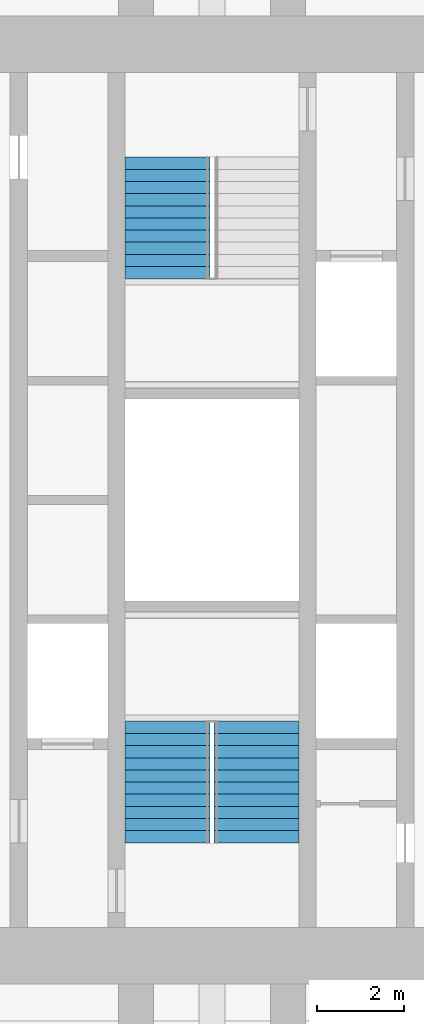
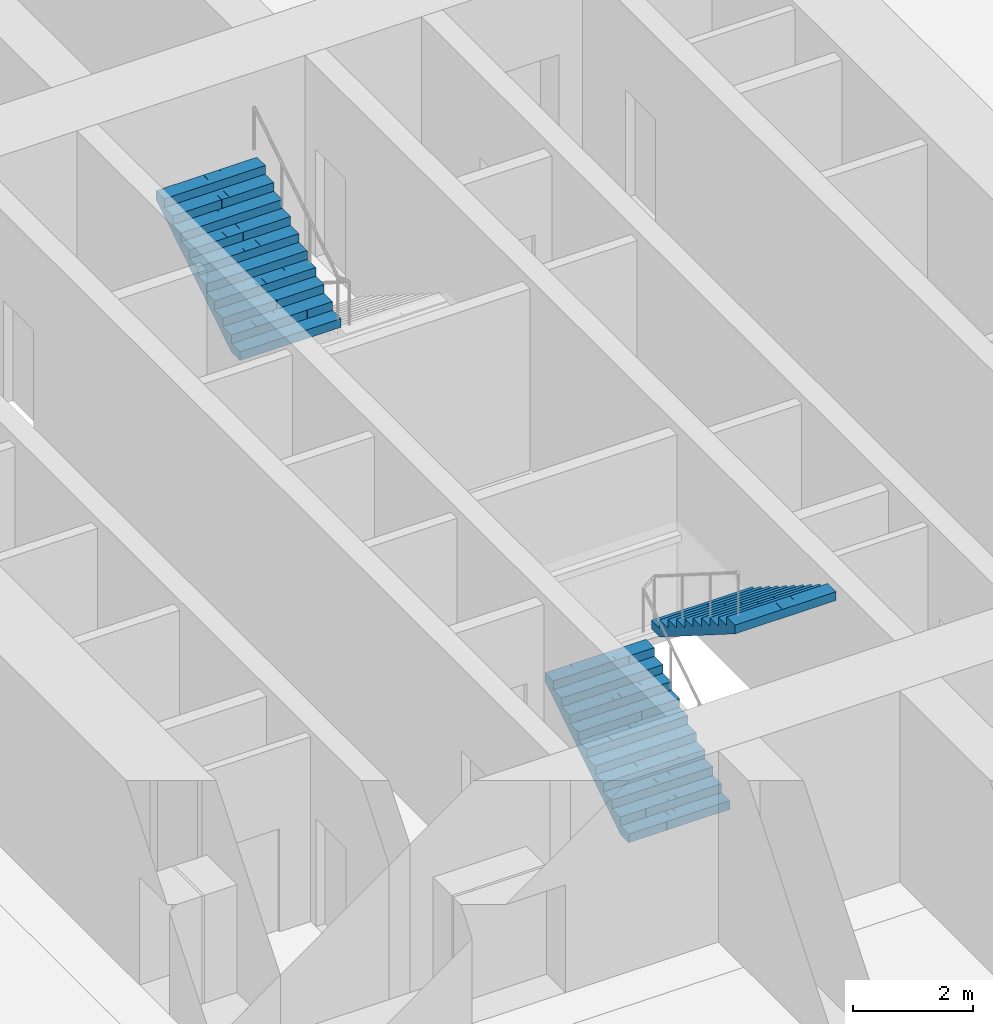
# One storey, part 20 of 22: 3 stair flights, 2 elements without a shape of their own.
"""IFC4 building model written with IfcOpenShell, lengths in metres."""

from ifc_helpers import new_model, si_unit, direction, frame, origin, place, context, subcontext, project, spatial, polyline, outline, extrude, material, type_object, element, aggregate, save


model = new_model("IFC4")

# Units and contexts
model_context = context("Model", 3, precision=1e-05, world=origin(), true_north=direction((0.0, 1.0)))
body_context = subcontext(model_context, "Body", "Model", "MODEL_VIEW")
ifc_project = project(units=[si_unit("LENGTHUNIT", "METRE"), si_unit("AREAUNIT", "SQUARE_METRE"), si_unit("VOLUMEUNIT", "CUBIC_METRE"), si_unit("PLANEANGLEUNIT", "RADIAN"), si_unit("MASSUNIT", "GRAM", prefix="KILO")], contexts=[model_context])

# Site, building, storey
site_placement = place(None, origin())
site = spatial("IfcSite", under=ifc_project, at=site_placement, CompositionType="ELEMENT")
building_placement = place(site_placement, origin())
building = spatial("IfcBuilding", under=site, at=building_placement, Name="Mizan Broadcast Tower", CompositionType="ELEMENT")
storey_placement = place(building_placement, frame((0.0, 0.0, 109.800048828125)))
storey = spatial("IfcBuildingStorey", under=building, at=storey_placement, Name="L24", CompositionType="ELEMENT", Elevation=109.800048828125)

# Stair, stair flights
ifc_material_1 = material(Name="Concrete C40/50", Category="concrete")
stair_type = type_object("IfcStairType", Name="EXIT STAIR", PredefinedType="HALF_TURN_STAIR", material=ifc_material_1)
stair_1_placement = place(storey_placement, origin())
stair_1 = element("IfcStair", 1, at=stair_1_placement, inside=storey, type_object=stair_type, Name="Stair A L24", PredefinedType="HALF_TURN_STAIR")
ifc_material_2 = material(Name="Concrete C40/50", Category="concrete")
stair_flight_type = type_object("IfcStairFlightType", Name="EXIT STAIR FLIGHT", PredefinedType="STRAIGHT", material=ifc_material_2)
stair_flight_1_placement = place(storey_placement, frame((-1.02490234375, -7.89990234375, 0.0), z_axis=(0.0, 0.0, 1.0), x_axis=(0.0, 1.0, 0.0)))
stair_flight_1 = element("IfcStairFlight", 2, at=stair_flight_1_placement, type_object=stair_flight_type, Name="A flight 1", NumberOfRisers=11, NumberOfTreads=10, PredefinedType="STRAIGHT", RiserHeight=0.177272727, TreadLength=0.28, context=body_context, shape_type="SweptSolid", body=[
    extrude(outline(polyline([(0.0, 0.0), (0.0, 0.17724609375), (0.280029296875, 0.17724609375), (0.280029296875, 0.3544921875), (0.56005859375, 0.3544921875), (0.56005859375, 0.53173828125), (0.840087890625, 0.53173828125), (0.840087890625, 0.708984375), (1.1201171875, 0.708984375), (1.1201171875, 0.886474609375), (1.39990234375, 0.886474609375), (1.39990234375, 1.063720703125), (1.679931640625, 1.063720703125), (1.679931640625, 1.240966796875), (1.9599609375, 1.240966796875), (1.9599609375, 1.418212890625), (2.239990234375, 1.418212890625), (2.239990234375, 1.595458984375), (2.52001953125, 1.595458984375), (2.52001953125, 1.772705078125), (2.800048828125, 1.772705078125), (2.800048828125, 1.949951171875), (2.800048828125, 1.59521484375), (0.2802734375, 0.0), (0.0, 0.0)])), frame((0.0, 0.97509765625, 0.0), z_axis=(0.0, -1.0, 0.0), x_axis=(1.0, 0.0, 0.0)), (0.0, 0.0, 1.0), 0.4873046875),
    extrude(outline(polyline([(0.0, 0.0), (0.0, 0.17724609375), (0.280029296875, 0.17724609375), (0.280029296875, 0.3544921875), (0.56005859375, 0.3544921875), (0.56005859375, 0.53173828125), (0.840087890625, 0.53173828125), (0.840087890625, 0.708984375), (1.1201171875, 0.708984375), (1.1201171875, 0.886474609375), (1.39990234375, 0.886474609375), (1.39990234375, 1.063720703125), (1.679931640625, 1.063720703125), (1.679931640625, 1.240966796875), (1.9599609375, 1.240966796875), (1.9599609375, 1.418212890625), (2.239990234375, 1.418212890625), (2.239990234375, 1.595458984375), (2.52001953125, 1.595458984375), (2.52001953125, 1.772705078125), (2.800048828125, 1.772705078125), (2.800048828125, 1.949951171875), (2.800048828125, 1.59521484375), (0.2802734375, 0.0), (0.0, 0.0)])), frame((0.0, 0.4873046875, 0.0), z_axis=(0.0, -1.0, 0.0), x_axis=(1.0, 0.0, 0.0)), (0.0, 0.0, 1.0), 0.2431640625),
    extrude(outline(polyline([(0.0, 0.0), (0.0, 0.17724609375), (0.280029296875, 0.17724609375), (0.280029296875, 0.3544921875), (0.56005859375, 0.3544921875), (0.56005859375, 0.53173828125), (0.840087890625, 0.53173828125), (0.840087890625, 0.708984375), (1.1201171875, 0.708984375), (1.1201171875, 0.886474609375), (1.39990234375, 0.886474609375), (1.39990234375, 1.063720703125), (1.679931640625, 1.063720703125), (1.679931640625, 1.240966796875), (1.9599609375, 1.240966796875), (1.9599609375, 1.418212890625), (2.239990234375, 1.418212890625), (2.239990234375, 1.595458984375), (2.52001953125, 1.595458984375), (2.52001953125, 1.772705078125), (2.800048828125, 1.772705078125), (2.800048828125, 1.949951171875), (2.800048828125, 1.59521484375), (0.2802734375, 0.0), (0.0, 0.0)])), frame((0.0, 0.24365234375, 0.0), z_axis=(0.0, -1.0, 0.0), x_axis=(1.0, 0.0, 0.0)), (0.0, 0.0, 1.0), 0.121337890625),
    extrude(outline(polyline([(0.0, 0.0), (0.0, 0.17724609375), (0.280029296875, 0.17724609375), (0.280029296875, 0.3544921875), (0.56005859375, 0.3544921875), (0.56005859375, 0.53173828125), (0.840087890625, 0.53173828125), (0.840087890625, 0.708984375), (1.1201171875, 0.708984375), (1.1201171875, 0.886474609375), (1.39990234375, 0.886474609375), (1.39990234375, 1.063720703125), (1.679931640625, 1.063720703125), (1.679931640625, 1.240966796875), (1.9599609375, 1.240966796875), (1.9599609375, 1.418212890625), (2.239990234375, 1.418212890625), (2.239990234375, 1.595458984375), (2.52001953125, 1.595458984375), (2.52001953125, 1.772705078125), (2.800048828125, 1.772705078125), (2.800048828125, 1.949951171875), (2.800048828125, 1.59521484375), (0.2802734375, 0.0), (0.0, 0.0)])), frame((0.0, 0.121826171875, 0.0), z_axis=(0.0, -1.0, 0.0), x_axis=(1.0, 0.0, 0.0)), (0.0, 0.0, 1.0), 0.060546875),
    extrude(outline(polyline([(0.0, 0.0), (0.0, 0.17724609375), (0.280029296875, 0.17724609375), (0.280029296875, 0.3544921875), (0.56005859375, 0.3544921875), (0.56005859375, 0.53173828125), (0.840087890625, 0.53173828125), (0.840087890625, 0.708984375), (1.1201171875, 0.708984375), (1.1201171875, 0.886474609375), (1.39990234375, 0.886474609375), (1.39990234375, 1.063720703125), (1.679931640625, 1.063720703125), (1.679931640625, 1.240966796875), (1.9599609375, 1.240966796875), (1.9599609375, 1.418212890625), (2.239990234375, 1.418212890625), (2.239990234375, 1.595458984375), (2.52001953125, 1.595458984375), (2.52001953125, 1.772705078125), (2.800048828125, 1.772705078125), (2.800048828125, 1.949951171875), (2.800048828125, 1.59521484375), (0.2802734375, 0.0), (0.0, 0.0)])), frame((0.0, 0.060791015625, 0.0), z_axis=(0.0, -1.0, 0.0), x_axis=(1.0, 0.0, 0.0)), (0.0, 0.0, 1.0), 0.030029296875),
    extrude(outline(polyline([(0.0, 0.0), (0.0, 0.17724609375), (0.280029296875, 0.17724609375), (0.280029296875, 0.3544921875), (0.56005859375, 0.3544921875), (0.56005859375, 0.53173828125), (0.840087890625, 0.53173828125), (0.840087890625, 0.708984375), (1.1201171875, 0.708984375), (1.1201171875, 0.886474609375), (1.39990234375, 0.886474609375), (1.39990234375, 1.063720703125), (1.679931640625, 1.063720703125), (1.679931640625, 1.240966796875), (1.9599609375, 1.240966796875), (1.9599609375, 1.418212890625), (2.239990234375, 1.418212890625), (2.239990234375, 1.595458984375), (2.52001953125, 1.595458984375), (2.52001953125, 1.772705078125), (2.800048828125, 1.772705078125), (2.800048828125, 1.949951171875), (2.800048828125, 1.59521484375), (0.2802734375, 0.0), (0.0, 0.0)])), frame((0.0, 0.0302734375, 0.0), z_axis=(0.0, -1.0, 0.0), x_axis=(1.0, 0.0, 0.0)), (0.0, 0.0, 1.0), 0.060302734375),
    extrude(outline(polyline([(0.0, 0.0), (0.0, 0.17724609375), (0.280029296875, 0.17724609375), (0.280029296875, 0.3544921875), (0.56005859375, 0.3544921875), (0.56005859375, 0.53173828125), (0.840087890625, 0.53173828125), (0.840087890625, 0.708984375), (1.1201171875, 0.708984375), (1.1201171875, 0.886474609375), (1.39990234375, 0.886474609375), (1.39990234375, 1.063720703125), (1.679931640625, 1.063720703125), (1.679931640625, 1.240966796875), (1.9599609375, 1.240966796875), (1.9599609375, 1.418212890625), (2.239990234375, 1.418212890625), (2.239990234375, 1.595458984375), (2.52001953125, 1.595458984375), (2.52001953125, 1.772705078125), (2.800048828125, 1.772705078125), (2.800048828125, 1.949951171875), (2.800048828125, 1.59521484375), (0.2802734375, 0.0), (0.0, 0.0)])), frame((0.0, -0.030517578125, 0.0), z_axis=(0.0, -1.0, 0.0), x_axis=(1.0, 0.0, 0.0)), (0.0, 0.0, 1.0), 0.030029296875),
    extrude(outline(polyline([(0.0, 0.0), (0.0, 0.17724609375), (0.280029296875, 0.17724609375), (0.280029296875, 0.3544921875), (0.56005859375, 0.3544921875), (0.56005859375, 0.53173828125), (0.840087890625, 0.53173828125), (0.840087890625, 0.708984375), (1.1201171875, 0.708984375), (1.1201171875, 0.886474609375), (1.39990234375, 0.886474609375), (1.39990234375, 1.063720703125), (1.679931640625, 1.063720703125), (1.679931640625, 1.240966796875), (1.9599609375, 1.240966796875), (1.9599609375, 1.418212890625), (2.239990234375, 1.418212890625), (2.239990234375, 1.595458984375), (2.52001953125, 1.595458984375), (2.52001953125, 1.772705078125), (2.800048828125, 1.772705078125), (2.800048828125, 1.949951171875), (2.800048828125, 1.59521484375), (0.2802734375, 0.0), (0.0, 0.0)])), frame((0.0, -0.06103515625, 0.0), z_axis=(0.0, -1.0, 0.0), x_axis=(1.0, 0.0, 0.0)), (0.0, 0.0, 1.0), 0.060546875),
    extrude(outline(polyline([(0.0, 0.0), (0.0, 0.17724609375), (0.280029296875, 0.17724609375), (0.280029296875, 0.3544921875), (0.56005859375, 0.3544921875), (0.56005859375, 0.53173828125), (0.840087890625, 0.53173828125), (0.840087890625, 0.708984375), (1.1201171875, 0.708984375), (1.1201171875, 0.886474609375), (1.39990234375, 0.886474609375), (1.39990234375, 1.063720703125), (1.679931640625, 1.063720703125), (1.679931640625, 1.240966796875), (1.9599609375, 1.240966796875), (1.9599609375, 1.418212890625), (2.239990234375, 1.418212890625), (2.239990234375, 1.595458984375), (2.52001953125, 1.595458984375), (2.52001953125, 1.772705078125), (2.800048828125, 1.772705078125), (2.800048828125, 1.949951171875), (2.800048828125, 1.59521484375), (0.2802734375, 0.0), (0.0, 0.0)])), frame((0.0, -0.1220703125, 0.0), z_axis=(0.0, -1.0, 0.0), x_axis=(1.0, 0.0, 0.0)), (0.0, 0.0, 1.0), 0.121337890625),
    extrude(outline(polyline([(0.0, 0.0), (0.0, 0.17724609375), (0.280029296875, 0.17724609375), (0.280029296875, 0.3544921875), (0.56005859375, 0.3544921875), (0.56005859375, 0.53173828125), (0.840087890625, 0.53173828125), (0.840087890625, 0.708984375), (1.1201171875, 0.708984375), (1.1201171875, 0.886474609375), (1.39990234375, 0.886474609375), (1.39990234375, 1.063720703125), (1.679931640625, 1.063720703125), (1.679931640625, 1.240966796875), (1.9599609375, 1.240966796875), (1.9599609375, 1.418212890625), (2.239990234375, 1.418212890625), (2.239990234375, 1.595458984375), (2.52001953125, 1.595458984375), (2.52001953125, 1.772705078125), (2.800048828125, 1.772705078125), (2.800048828125, 1.949951171875), (2.800048828125, 1.59521484375), (0.2802734375, 0.0), (0.0, 0.0)])), frame((0.0, -0.243896484375, 0.0), z_axis=(0.0, -1.0, 0.0), x_axis=(1.0, 0.0, 0.0)), (0.0, 0.0, 1.0), 0.2431640625),
    extrude(outline(polyline([(0.0, 0.0), (0.0, 0.17724609375), (0.280029296875, 0.17724609375), (0.280029296875, 0.3544921875), (0.56005859375, 0.3544921875), (0.56005859375, 0.53173828125), (0.840087890625, 0.53173828125), (0.840087890625, 0.708984375), (1.1201171875, 0.708984375), (1.1201171875, 0.886474609375), (1.39990234375, 0.886474609375), (1.39990234375, 1.063720703125), (1.679931640625, 1.063720703125), (1.679931640625, 1.240966796875), (1.9599609375, 1.240966796875), (1.9599609375, 1.418212890625), (2.239990234375, 1.418212890625), (2.239990234375, 1.595458984375), (2.52001953125, 1.595458984375), (2.52001953125, 1.772705078125), (2.800048828125, 1.772705078125), (2.800048828125, 1.949951171875), (2.800048828125, 1.59521484375), (0.2802734375, 0.0), (0.0, 0.0)])), frame((0.0, -0.487548828125, 0.0), z_axis=(0.0, -1.0, 0.0), x_axis=(1.0, 0.0, 0.0)), (0.0, 0.0, 1.0), 0.4873046875),
])
stair_flight_2_placement = place(storey_placement, frame((1.02490234375, -5.10009765625, 1.949951171875), z_axis=(0.0, 0.0, 1.0), x_axis=(0.0, -1.0, 0.0)))
stair_flight_2 = element("IfcStairFlight", 3, at=stair_flight_2_placement, type_object=stair_flight_type, Name="A flight 2", NumberOfRisers=11, NumberOfTreads=10, PredefinedType="STRAIGHT", RiserHeight=0.177272727, TreadLength=0.28, context=body_context, shape_type="SweptSolid", body=[
    extrude(outline(polyline([(0.0, 0.0), (0.0, 0.17724609375), (0.280029296875, 0.17724609375), (0.280029296875, 0.3544921875), (0.56005859375, 0.3544921875), (0.56005859375, 0.53173828125), (0.840087890625, 0.53173828125), (0.840087890625, 0.708984375), (1.1201171875, 0.708984375), (1.1201171875, 0.886474609375), (1.39990234375, 0.886474609375), (1.39990234375, 1.063720703125), (1.679931640625, 1.063720703125), (1.679931640625, 1.240966796875), (1.9599609375, 1.240966796875), (1.9599609375, 1.418212890625), (2.239990234375, 1.418212890625), (2.239990234375, 1.595458984375), (2.52001953125, 1.595458984375), (2.52001953125, 1.772705078125), (2.800048828125, 1.772705078125), (2.800048828125, 1.949951171875), (2.800048828125, 1.59521484375), (0.2802734375, 0.0), (0.0, 0.0)])), frame((0.0, 0.97509765625, 0.0), z_axis=(0.0, -1.0, 0.0), x_axis=(1.0, 0.0, 0.0)), (0.0, 0.0, 1.0), 0.4873046875),
    extrude(outline(polyline([(0.0, 0.0), (0.0, 0.17724609375), (0.280029296875, 0.17724609375), (0.280029296875, 0.3544921875), (0.56005859375, 0.3544921875), (0.56005859375, 0.53173828125), (0.840087890625, 0.53173828125), (0.840087890625, 0.708984375), (1.1201171875, 0.708984375), (1.1201171875, 0.886474609375), (1.39990234375, 0.886474609375), (1.39990234375, 1.063720703125), (1.679931640625, 1.063720703125), (1.679931640625, 1.240966796875), (1.9599609375, 1.240966796875), (1.9599609375, 1.418212890625), (2.239990234375, 1.418212890625), (2.239990234375, 1.595458984375), (2.52001953125, 1.595458984375), (2.52001953125, 1.772705078125), (2.800048828125, 1.772705078125), (2.800048828125, 1.949951171875), (2.800048828125, 1.59521484375), (0.2802734375, 0.0), (0.0, 0.0)])), frame((0.0, 0.4873046875, 0.0), z_axis=(0.0, -1.0, 0.0), x_axis=(1.0, 0.0, 0.0)), (0.0, 0.0, 1.0), 0.2431640625),
    extrude(outline(polyline([(0.0, 0.0), (0.0, 0.17724609375), (0.280029296875, 0.17724609375), (0.280029296875, 0.3544921875), (0.56005859375, 0.3544921875), (0.56005859375, 0.53173828125), (0.840087890625, 0.53173828125), (0.840087890625, 0.708984375), (1.1201171875, 0.708984375), (1.1201171875, 0.886474609375), (1.39990234375, 0.886474609375), (1.39990234375, 1.063720703125), (1.679931640625, 1.063720703125), (1.679931640625, 1.240966796875), (1.9599609375, 1.240966796875), (1.9599609375, 1.418212890625), (2.239990234375, 1.418212890625), (2.239990234375, 1.595458984375), (2.52001953125, 1.595458984375), (2.52001953125, 1.772705078125), (2.800048828125, 1.772705078125), (2.800048828125, 1.949951171875), (2.800048828125, 1.59521484375), (0.2802734375, 0.0), (0.0, 0.0)])), frame((0.0, 0.24365234375, 0.0), z_axis=(0.0, -1.0, 0.0), x_axis=(1.0, 0.0, 0.0)), (0.0, 0.0, 1.0), 0.121337890625),
    extrude(outline(polyline([(0.0, 0.0), (0.0, 0.17724609375), (0.280029296875, 0.17724609375), (0.280029296875, 0.3544921875), (0.56005859375, 0.3544921875), (0.56005859375, 0.53173828125), (0.840087890625, 0.53173828125), (0.840087890625, 0.708984375), (1.1201171875, 0.708984375), (1.1201171875, 0.886474609375), (1.39990234375, 0.886474609375), (1.39990234375, 1.063720703125), (1.679931640625, 1.063720703125), (1.679931640625, 1.240966796875), (1.9599609375, 1.240966796875), (1.9599609375, 1.418212890625), (2.239990234375, 1.418212890625), (2.239990234375, 1.595458984375), (2.52001953125, 1.595458984375), (2.52001953125, 1.772705078125), (2.800048828125, 1.772705078125), (2.800048828125, 1.949951171875), (2.800048828125, 1.59521484375), (0.2802734375, 0.0), (0.0, 0.0)])), frame((0.0, 0.121826171875, 0.0), z_axis=(0.0, -1.0, 0.0), x_axis=(1.0, 0.0, 0.0)), (0.0, 0.0, 1.0), 0.060546875),
    extrude(outline(polyline([(0.0, 0.0), (0.0, 0.17724609375), (0.280029296875, 0.17724609375), (0.280029296875, 0.3544921875), (0.56005859375, 0.3544921875), (0.56005859375, 0.53173828125), (0.840087890625, 0.53173828125), (0.840087890625, 0.708984375), (1.1201171875, 0.708984375), (1.1201171875, 0.886474609375), (1.39990234375, 0.886474609375), (1.39990234375, 1.063720703125), (1.679931640625, 1.063720703125), (1.679931640625, 1.240966796875), (1.9599609375, 1.240966796875), (1.9599609375, 1.418212890625), (2.239990234375, 1.418212890625), (2.239990234375, 1.595458984375), (2.52001953125, 1.595458984375), (2.52001953125, 1.772705078125), (2.800048828125, 1.772705078125), (2.800048828125, 1.949951171875), (2.800048828125, 1.59521484375), (0.2802734375, 0.0), (0.0, 0.0)])), frame((0.0, 0.060791015625, 0.0), z_axis=(0.0, -1.0, 0.0), x_axis=(1.0, 0.0, 0.0)), (0.0, 0.0, 1.0), 0.030029296875),
    extrude(outline(polyline([(0.0, 0.0), (0.0, 0.17724609375), (0.280029296875, 0.17724609375), (0.280029296875, 0.3544921875), (0.56005859375, 0.3544921875), (0.56005859375, 0.53173828125), (0.840087890625, 0.53173828125), (0.840087890625, 0.708984375), (1.1201171875, 0.708984375), (1.1201171875, 0.886474609375), (1.39990234375, 0.886474609375), (1.39990234375, 1.063720703125), (1.679931640625, 1.063720703125), (1.679931640625, 1.240966796875), (1.9599609375, 1.240966796875), (1.9599609375, 1.418212890625), (2.239990234375, 1.418212890625), (2.239990234375, 1.595458984375), (2.52001953125, 1.595458984375), (2.52001953125, 1.772705078125), (2.800048828125, 1.772705078125), (2.800048828125, 1.949951171875), (2.800048828125, 1.59521484375), (0.2802734375, 0.0), (0.0, 0.0)])), frame((0.0, 0.0302734375, 0.0), z_axis=(0.0, -1.0, 0.0), x_axis=(1.0, 0.0, 0.0)), (0.0, 0.0, 1.0), 0.060302734375),
    extrude(outline(polyline([(0.0, 0.0), (0.0, 0.17724609375), (0.280029296875, 0.17724609375), (0.280029296875, 0.3544921875), (0.56005859375, 0.3544921875), (0.56005859375, 0.53173828125), (0.840087890625, 0.53173828125), (0.840087890625, 0.708984375), (1.1201171875, 0.708984375), (1.1201171875, 0.886474609375), (1.39990234375, 0.886474609375), (1.39990234375, 1.063720703125), (1.679931640625, 1.063720703125), (1.679931640625, 1.240966796875), (1.9599609375, 1.240966796875), (1.9599609375, 1.418212890625), (2.239990234375, 1.418212890625), (2.239990234375, 1.595458984375), (2.52001953125, 1.595458984375), (2.52001953125, 1.772705078125), (2.800048828125, 1.772705078125), (2.800048828125, 1.949951171875), (2.800048828125, 1.59521484375), (0.2802734375, 0.0), (0.0, 0.0)])), frame((0.0, -0.030517578125, 0.0), z_axis=(0.0, -1.0, 0.0), x_axis=(1.0, 0.0, 0.0)), (0.0, 0.0, 1.0), 0.030029296875),
    extrude(outline(polyline([(0.0, 0.0), (0.0, 0.17724609375), (0.280029296875, 0.17724609375), (0.280029296875, 0.3544921875), (0.56005859375, 0.3544921875), (0.56005859375, 0.53173828125), (0.840087890625, 0.53173828125), (0.840087890625, 0.708984375), (1.1201171875, 0.708984375), (1.1201171875, 0.886474609375), (1.39990234375, 0.886474609375), (1.39990234375, 1.063720703125), (1.679931640625, 1.063720703125), (1.679931640625, 1.240966796875), (1.9599609375, 1.240966796875), (1.9599609375, 1.418212890625), (2.239990234375, 1.418212890625), (2.239990234375, 1.595458984375), (2.52001953125, 1.595458984375), (2.52001953125, 1.772705078125), (2.800048828125, 1.772705078125), (2.800048828125, 1.949951171875), (2.800048828125, 1.59521484375), (0.2802734375, 0.0), (0.0, 0.0)])), frame((0.0, -0.06103515625, 0.0), z_axis=(0.0, -1.0, 0.0), x_axis=(1.0, 0.0, 0.0)), (0.0, 0.0, 1.0), 0.060546875),
    extrude(outline(polyline([(0.0, 0.0), (0.0, 0.17724609375), (0.280029296875, 0.17724609375), (0.280029296875, 0.3544921875), (0.56005859375, 0.3544921875), (0.56005859375, 0.53173828125), (0.840087890625, 0.53173828125), (0.840087890625, 0.708984375), (1.1201171875, 0.708984375), (1.1201171875, 0.886474609375), (1.39990234375, 0.886474609375), (1.39990234375, 1.063720703125), (1.679931640625, 1.063720703125), (1.679931640625, 1.240966796875), (1.9599609375, 1.240966796875), (1.9599609375, 1.418212890625), (2.239990234375, 1.418212890625), (2.239990234375, 1.595458984375), (2.52001953125, 1.595458984375), (2.52001953125, 1.772705078125), (2.800048828125, 1.772705078125), (2.800048828125, 1.949951171875), (2.800048828125, 1.59521484375), (0.2802734375, 0.0), (0.0, 0.0)])), frame((0.0, -0.1220703125, 0.0), z_axis=(0.0, -1.0, 0.0), x_axis=(1.0, 0.0, 0.0)), (0.0, 0.0, 1.0), 0.121337890625),
    extrude(outline(polyline([(0.0, 0.0), (0.0, 0.17724609375), (0.280029296875, 0.17724609375), (0.280029296875, 0.3544921875), (0.56005859375, 0.3544921875), (0.56005859375, 0.53173828125), (0.840087890625, 0.53173828125), (0.840087890625, 0.708984375), (1.1201171875, 0.708984375), (1.1201171875, 0.886474609375), (1.39990234375, 0.886474609375), (1.39990234375, 1.063720703125), (1.679931640625, 1.063720703125), (1.679931640625, 1.240966796875), (1.9599609375, 1.240966796875), (1.9599609375, 1.418212890625), (2.239990234375, 1.418212890625), (2.239990234375, 1.595458984375), (2.52001953125, 1.595458984375), (2.52001953125, 1.772705078125), (2.800048828125, 1.772705078125), (2.800048828125, 1.949951171875), (2.800048828125, 1.59521484375), (0.2802734375, 0.0), (0.0, 0.0)])), frame((0.0, -0.243896484375, 0.0), z_axis=(0.0, -1.0, 0.0), x_axis=(1.0, 0.0, 0.0)), (0.0, 0.0, 1.0), 0.2431640625),
    extrude(outline(polyline([(0.0, 0.0), (0.0, 0.17724609375), (0.280029296875, 0.17724609375), (0.280029296875, 0.3544921875), (0.56005859375, 0.3544921875), (0.56005859375, 0.53173828125), (0.840087890625, 0.53173828125), (0.840087890625, 0.708984375), (1.1201171875, 0.708984375), (1.1201171875, 0.886474609375), (1.39990234375, 0.886474609375), (1.39990234375, 1.063720703125), (1.679931640625, 1.063720703125), (1.679931640625, 1.240966796875), (1.9599609375, 1.240966796875), (1.9599609375, 1.418212890625), (2.239990234375, 1.418212890625), (2.239990234375, 1.595458984375), (2.52001953125, 1.595458984375), (2.52001953125, 1.772705078125), (2.800048828125, 1.772705078125), (2.800048828125, 1.949951171875), (2.800048828125, 1.59521484375), (0.2802734375, 0.0), (0.0, 0.0)])), frame((0.0, -0.487548828125, 0.0), z_axis=(0.0, -1.0, 0.0), x_axis=(1.0, 0.0, 0.0)), (0.0, 0.0, 1.0), 0.4873046875),
])
aggregate(stair_1, [stair_flight_1, stair_flight_2])

# Stair, stair flight
stair_2_placement = place(storey_placement, origin())
stair_2 = element("IfcStair", 4, at=stair_2_placement, inside=storey, type_object=stair_type, Name="Stair B L24", PredefinedType="HALF_TURN_STAIR")
stair_flight_3_placement = place(storey_placement, frame((-1.02490234375, 5.10009765625, 1.949951171875), z_axis=(0.0, 0.0, 1.0), x_axis=(0.0, 1.0, 0.0)))
stair_flight_3 = element("IfcStairFlight", 5, at=stair_flight_3_placement, type_object=stair_flight_type, Name="B flight 2", NumberOfRisers=11, NumberOfTreads=10, PredefinedType="STRAIGHT", RiserHeight=0.177272727, TreadLength=0.28, context=body_context, shape_type="SweptSolid", body=[
    extrude(outline(polyline([(0.0, 0.0), (0.0, 0.17724609375), (0.280029296875, 0.17724609375), (0.280029296875, 0.3544921875), (0.56005859375, 0.3544921875), (0.56005859375, 0.53173828125), (0.840087890625, 0.53173828125), (0.840087890625, 0.708984375), (1.1201171875, 0.708984375), (1.1201171875, 0.886474609375), (1.39990234375, 0.886474609375), (1.39990234375, 1.063720703125), (1.679931640625, 1.063720703125), (1.679931640625, 1.240966796875), (1.9599609375, 1.240966796875), (1.9599609375, 1.418212890625), (2.239990234375, 1.418212890625), (2.239990234375, 1.595458984375), (2.52001953125, 1.595458984375), (2.52001953125, 1.772705078125), (2.800048828125, 1.772705078125), (2.800048828125, 1.949951171875), (2.800048828125, 1.59521484375), (0.2802734375, 0.0), (0.0, 0.0)])), frame((0.0, 0.97509765625, 0.0), z_axis=(0.0, -1.0, 0.0), x_axis=(1.0, 0.0, 0.0)), (0.0, 0.0, 1.0), 0.4873046875),
    extrude(outline(polyline([(0.0, 0.0), (0.0, 0.17724609375), (0.280029296875, 0.17724609375), (0.280029296875, 0.3544921875), (0.56005859375, 0.3544921875), (0.56005859375, 0.53173828125), (0.840087890625, 0.53173828125), (0.840087890625, 0.708984375), (1.1201171875, 0.708984375), (1.1201171875, 0.886474609375), (1.39990234375, 0.886474609375), (1.39990234375, 1.063720703125), (1.679931640625, 1.063720703125), (1.679931640625, 1.240966796875), (1.9599609375, 1.240966796875), (1.9599609375, 1.418212890625), (2.239990234375, 1.418212890625), (2.239990234375, 1.595458984375), (2.52001953125, 1.595458984375), (2.52001953125, 1.772705078125), (2.800048828125, 1.772705078125), (2.800048828125, 1.949951171875), (2.800048828125, 1.59521484375), (0.2802734375, 0.0), (0.0, 0.0)])), frame((0.0, 0.4873046875, 0.0), z_axis=(0.0, -1.0, 0.0), x_axis=(1.0, 0.0, 0.0)), (0.0, 0.0, 1.0), 0.2431640625),
    extrude(outline(polyline([(0.0, 0.0), (0.0, 0.17724609375), (0.280029296875, 0.17724609375), (0.280029296875, 0.3544921875), (0.56005859375, 0.3544921875), (0.56005859375, 0.53173828125), (0.840087890625, 0.53173828125), (0.840087890625, 0.708984375), (1.1201171875, 0.708984375), (1.1201171875, 0.886474609375), (1.39990234375, 0.886474609375), (1.39990234375, 1.063720703125), (1.679931640625, 1.063720703125), (1.679931640625, 1.240966796875), (1.9599609375, 1.240966796875), (1.9599609375, 1.418212890625), (2.239990234375, 1.418212890625), (2.239990234375, 1.595458984375), (2.52001953125, 1.595458984375), (2.52001953125, 1.772705078125), (2.800048828125, 1.772705078125), (2.800048828125, 1.949951171875), (2.800048828125, 1.59521484375), (0.2802734375, 0.0), (0.0, 0.0)])), frame((0.0, 0.24365234375, 0.0), z_axis=(0.0, -1.0, 0.0), x_axis=(1.0, 0.0, 0.0)), (0.0, 0.0, 1.0), 0.121337890625),
    extrude(outline(polyline([(0.0, 0.0), (0.0, 0.17724609375), (0.280029296875, 0.17724609375), (0.280029296875, 0.3544921875), (0.56005859375, 0.3544921875), (0.56005859375, 0.53173828125), (0.840087890625, 0.53173828125), (0.840087890625, 0.708984375), (1.1201171875, 0.708984375), (1.1201171875, 0.886474609375), (1.39990234375, 0.886474609375), (1.39990234375, 1.063720703125), (1.679931640625, 1.063720703125), (1.679931640625, 1.240966796875), (1.9599609375, 1.240966796875), (1.9599609375, 1.418212890625), (2.239990234375, 1.418212890625), (2.239990234375, 1.595458984375), (2.52001953125, 1.595458984375), (2.52001953125, 1.772705078125), (2.800048828125, 1.772705078125), (2.800048828125, 1.949951171875), (2.800048828125, 1.59521484375), (0.2802734375, 0.0), (0.0, 0.0)])), frame((0.0, 0.121826171875, 0.0), z_axis=(0.0, -1.0, 0.0), x_axis=(1.0, 0.0, 0.0)), (0.0, 0.0, 1.0), 0.060546875),
    extrude(outline(polyline([(0.0, 0.0), (0.0, 0.17724609375), (0.280029296875, 0.17724609375), (0.280029296875, 0.3544921875), (0.56005859375, 0.3544921875), (0.56005859375, 0.53173828125), (0.840087890625, 0.53173828125), (0.840087890625, 0.708984375), (1.1201171875, 0.708984375), (1.1201171875, 0.886474609375), (1.39990234375, 0.886474609375), (1.39990234375, 1.063720703125), (1.679931640625, 1.063720703125), (1.679931640625, 1.240966796875), (1.9599609375, 1.240966796875), (1.9599609375, 1.418212890625), (2.239990234375, 1.418212890625), (2.239990234375, 1.595458984375), (2.52001953125, 1.595458984375), (2.52001953125, 1.772705078125), (2.800048828125, 1.772705078125), (2.800048828125, 1.949951171875), (2.800048828125, 1.59521484375), (0.2802734375, 0.0), (0.0, 0.0)])), frame((0.0, 0.060791015625, 0.0), z_axis=(0.0, -1.0, 0.0), x_axis=(1.0, 0.0, 0.0)), (0.0, 0.0, 1.0), 0.030029296875),
    extrude(outline(polyline([(0.0, 0.0), (0.0, 0.17724609375), (0.280029296875, 0.17724609375), (0.280029296875, 0.3544921875), (0.56005859375, 0.3544921875), (0.56005859375, 0.53173828125), (0.840087890625, 0.53173828125), (0.840087890625, 0.708984375), (1.1201171875, 0.708984375), (1.1201171875, 0.886474609375), (1.39990234375, 0.886474609375), (1.39990234375, 1.063720703125), (1.679931640625, 1.063720703125), (1.679931640625, 1.240966796875), (1.9599609375, 1.240966796875), (1.9599609375, 1.418212890625), (2.239990234375, 1.418212890625), (2.239990234375, 1.595458984375), (2.52001953125, 1.595458984375), (2.52001953125, 1.772705078125), (2.800048828125, 1.772705078125), (2.800048828125, 1.949951171875), (2.800048828125, 1.59521484375), (0.2802734375, 0.0), (0.0, 0.0)])), frame((0.0, 0.0302734375, 0.0), z_axis=(0.0, -1.0, 0.0), x_axis=(1.0, 0.0, 0.0)), (0.0, 0.0, 1.0), 0.060302734375),
    extrude(outline(polyline([(0.0, 0.0), (0.0, 0.17724609375), (0.280029296875, 0.17724609375), (0.280029296875, 0.3544921875), (0.56005859375, 0.3544921875), (0.56005859375, 0.53173828125), (0.840087890625, 0.53173828125), (0.840087890625, 0.708984375), (1.1201171875, 0.708984375), (1.1201171875, 0.886474609375), (1.39990234375, 0.886474609375), (1.39990234375, 1.063720703125), (1.679931640625, 1.063720703125), (1.679931640625, 1.240966796875), (1.9599609375, 1.240966796875), (1.9599609375, 1.418212890625), (2.239990234375, 1.418212890625), (2.239990234375, 1.595458984375), (2.52001953125, 1.595458984375), (2.52001953125, 1.772705078125), (2.800048828125, 1.772705078125), (2.800048828125, 1.949951171875), (2.800048828125, 1.59521484375), (0.2802734375, 0.0), (0.0, 0.0)])), frame((0.0, -0.030517578125, 0.0), z_axis=(0.0, -1.0, 0.0), x_axis=(1.0, 0.0, 0.0)), (0.0, 0.0, 1.0), 0.030029296875),
    extrude(outline(polyline([(0.0, 0.0), (0.0, 0.17724609375), (0.280029296875, 0.17724609375), (0.280029296875, 0.3544921875), (0.56005859375, 0.3544921875), (0.56005859375, 0.53173828125), (0.840087890625, 0.53173828125), (0.840087890625, 0.708984375), (1.1201171875, 0.708984375), (1.1201171875, 0.886474609375), (1.39990234375, 0.886474609375), (1.39990234375, 1.063720703125), (1.679931640625, 1.063720703125), (1.679931640625, 1.240966796875), (1.9599609375, 1.240966796875), (1.9599609375, 1.418212890625), (2.239990234375, 1.418212890625), (2.239990234375, 1.595458984375), (2.52001953125, 1.595458984375), (2.52001953125, 1.772705078125), (2.800048828125, 1.772705078125), (2.800048828125, 1.949951171875), (2.800048828125, 1.59521484375), (0.2802734375, 0.0), (0.0, 0.0)])), frame((0.0, -0.06103515625, 0.0), z_axis=(0.0, -1.0, 0.0), x_axis=(1.0, 0.0, 0.0)), (0.0, 0.0, 1.0), 0.060546875),
    extrude(outline(polyline([(0.0, 0.0), (0.0, 0.17724609375), (0.280029296875, 0.17724609375), (0.280029296875, 0.3544921875), (0.56005859375, 0.3544921875), (0.56005859375, 0.53173828125), (0.840087890625, 0.53173828125), (0.840087890625, 0.708984375), (1.1201171875, 0.708984375), (1.1201171875, 0.886474609375), (1.39990234375, 0.886474609375), (1.39990234375, 1.063720703125), (1.679931640625, 1.063720703125), (1.679931640625, 1.240966796875), (1.9599609375, 1.240966796875), (1.9599609375, 1.418212890625), (2.239990234375, 1.418212890625), (2.239990234375, 1.595458984375), (2.52001953125, 1.595458984375), (2.52001953125, 1.772705078125), (2.800048828125, 1.772705078125), (2.800048828125, 1.949951171875), (2.800048828125, 1.59521484375), (0.2802734375, 0.0), (0.0, 0.0)])), frame((0.0, -0.1220703125, 0.0), z_axis=(0.0, -1.0, 0.0), x_axis=(1.0, 0.0, 0.0)), (0.0, 0.0, 1.0), 0.121337890625),
    extrude(outline(polyline([(0.0, 0.0), (0.0, 0.17724609375), (0.280029296875, 0.17724609375), (0.280029296875, 0.3544921875), (0.56005859375, 0.3544921875), (0.56005859375, 0.53173828125), (0.840087890625, 0.53173828125), (0.840087890625, 0.708984375), (1.1201171875, 0.708984375), (1.1201171875, 0.886474609375), (1.39990234375, 0.886474609375), (1.39990234375, 1.063720703125), (1.679931640625, 1.063720703125), (1.679931640625, 1.240966796875), (1.9599609375, 1.240966796875), (1.9599609375, 1.418212890625), (2.239990234375, 1.418212890625), (2.239990234375, 1.595458984375), (2.52001953125, 1.595458984375), (2.52001953125, 1.772705078125), (2.800048828125, 1.772705078125), (2.800048828125, 1.949951171875), (2.800048828125, 1.59521484375), (0.2802734375, 0.0), (0.0, 0.0)])), frame((0.0, -0.243896484375, 0.0), z_axis=(0.0, -1.0, 0.0), x_axis=(1.0, 0.0, 0.0)), (0.0, 0.0, 1.0), 0.2431640625),
    extrude(outline(polyline([(0.0, 0.0), (0.0, 0.17724609375), (0.280029296875, 0.17724609375), (0.280029296875, 0.3544921875), (0.56005859375, 0.3544921875), (0.56005859375, 0.53173828125), (0.840087890625, 0.53173828125), (0.840087890625, 0.708984375), (1.1201171875, 0.708984375), (1.1201171875, 0.886474609375), (1.39990234375, 0.886474609375), (1.39990234375, 1.063720703125), (1.679931640625, 1.063720703125), (1.679931640625, 1.240966796875), (1.9599609375, 1.240966796875), (1.9599609375, 1.418212890625), (2.239990234375, 1.418212890625), (2.239990234375, 1.595458984375), (2.52001953125, 1.595458984375), (2.52001953125, 1.772705078125), (2.800048828125, 1.772705078125), (2.800048828125, 1.949951171875), (2.800048828125, 1.59521484375), (0.2802734375, 0.0), (0.0, 0.0)])), frame((0.0, -0.487548828125, 0.0), z_axis=(0.0, -1.0, 0.0), x_axis=(1.0, 0.0, 0.0)), (0.0, 0.0, 1.0), 0.4873046875),
])
aggregate(stair_2, [stair_flight_3])

save(model, "model.ifc")
